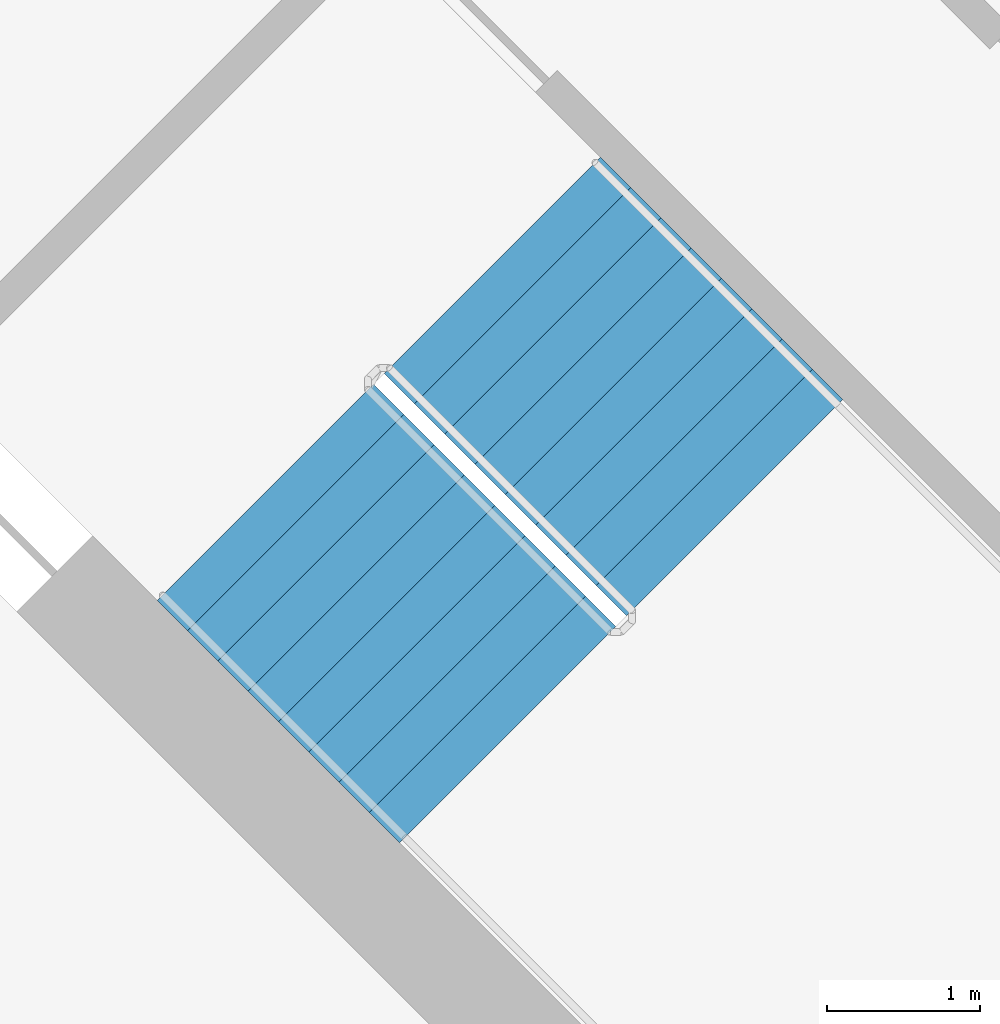
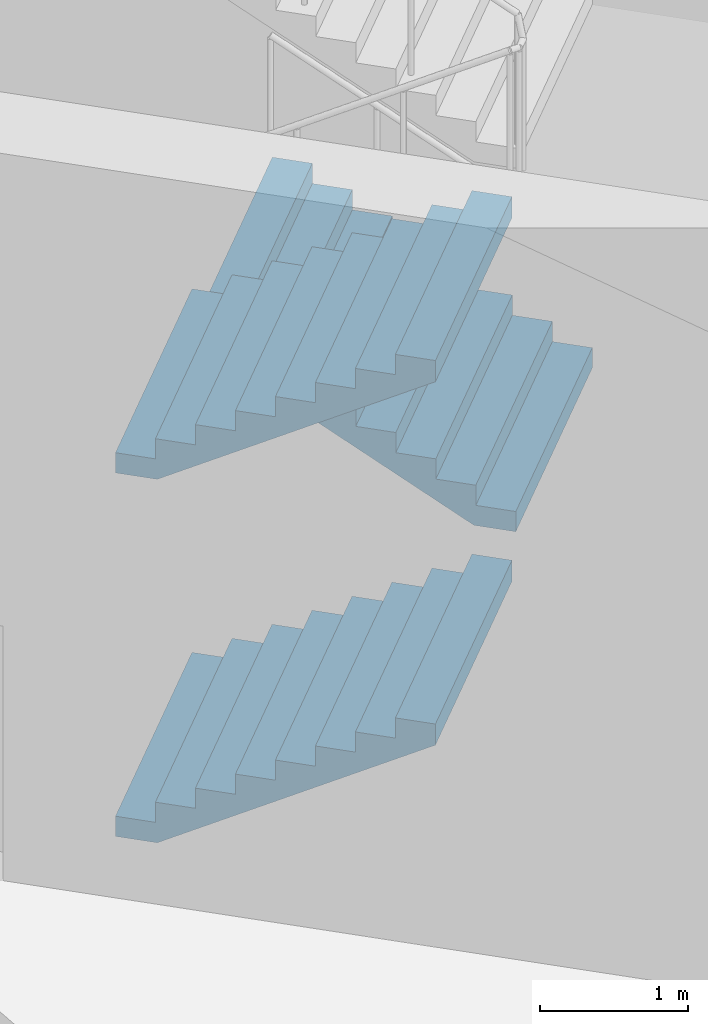
# One storey, part 11 of 16: 3 stair flights, 1 element without a shape of its own.
"""IFC4 building model written with IfcOpenShell, lengths in metres."""

from ifc_helpers import new_model, si_unit, direction, frame, origin, place, context, subcontext, project, spatial, triangles, material, type_object, element, aggregate, save


model = new_model("IFC4")

# Units and contexts
model_context = context("Model", 3, precision=1e-05, world=origin(), true_north=direction((0.0, 1.0)))
body_context = subcontext(model_context, "Body", "Model", "MODEL_VIEW")
ifc_project = project(units=[si_unit("LENGTHUNIT", "METRE"), si_unit("AREAUNIT", "SQUARE_METRE"), si_unit("VOLUMEUNIT", "CUBIC_METRE"), si_unit("PLANEANGLEUNIT", "RADIAN"), si_unit("MASSUNIT", "GRAM", prefix="KILO")], contexts=[model_context])

# Site, building, storey
site_placement = place(None, origin())
site = spatial("IfcSite", under=ifc_project, at=site_placement, CompositionType="ELEMENT")
building_placement = place(site_placement, origin())
building = spatial("IfcBuilding", under=site, at=building_placement, Name="Verdalira Terraces Hotel", CompositionType="ELEMENT")
storey_placement = place(building_placement, frame((0.0, 0.0, 169.0)))
storey = spatial("IfcBuildingStorey", under=building, at=storey_placement, Name="L41", CompositionType="ELEMENT", Elevation=169.0)

# Stair, stair flights
ifc_material_1 = material(Name="Concrete C40", Category="concrete")
stair_type = type_object("IfcStairType", Name="Core stair 36 risers 2000 mm wide", PredefinedType="HALF_TURN_STAIR", material=ifc_material_1)
stair_placement = place(storey_placement, origin())
stair = element("IfcStair", 1, at=stair_placement, inside=storey, type_object=stair_type, Name="L41 Exit stair ST2", PredefinedType="HALF_TURN_STAIR")
ifc_material_2 = material(Name="Concrete C40", Category="concrete")
stair_flight_type = type_object("IfcStairFlightType", Name="Core stair flight 36 risers 2000 mm wide", PredefinedType="STRAIGHT", material=ifc_material_2)
stair_flight_1_placement = place(storey_placement, frame((-10.041016, -7.354004, 0.0), z_axis=(0.0, 0.0, 1.0), x_axis=(0.707106781, -0.707106781, 0.0)))
stair_flight_1 = element("IfcStairFlight", 2, at=stair_flight_1_placement, type_object=stair_flight_type, Name="ST2 flight 1", NumberOfRisers=9, NumberOfTreads=8, PredefinedType="STRAIGHT", RiserHeight=0.166666667, TreadLength=0.28, context=body_context, shape_type="Tessellation", body=[
    triangles([(0.0, 1.0, 0.0), (0.292969, 1.0, 0.0), (2.23999, 1.0, 1.158936), (0.0, -1.0, 0.0), (0.292969, -1.0, 0.0), (2.23999, -1.0, 1.158936), (2.23999, 1.0, 1.333252), (1.959961, 1.0, 1.333252), (2.23999, -1.0, 1.333252), (1.959961, -1.0, 1.333252), (1.959961, 1.0, 1.166748), (1.959961, -1.0, 1.166748), (1.679932, 1.0, 1.166748), (1.679932, -1.0, 1.166748), (1.679932, 1.0, 1.0), (1.679932, -1.0, 1.0), (1.399902, 1.0, 1.0), (1.399902, 1.0, 0.833252), (1.399902, -1.0, 1.0), (1.399902, -1.0, 0.833252), (1.120117, 1.0, 0.833252), (1.120117, 1.0, 0.666748), (1.120117, -1.0, 0.833252), (1.120117, -1.0, 0.666748), (0.840088, 1.0, 0.666748), (0.840088, 1.0, 0.5), (0.840088, -1.0, 0.666748), (0.840088, -1.0, 0.5), (0.560059, 1.0, 0.5), (0.560059, 1.0, 0.333252), (0.560059, -1.0, 0.5), (0.560059, -1.0, 0.333252), (0.280029, 1.0, 0.333252), (0.280029, 1.0, 0.166748), (0.280029, -1.0, 0.333252), (0.280029, -1.0, 0.166748), (0.0, 1.0, 0.166748), (0.0, -1.0, 0.166748), (0.0, -0.9375, 0.0), (0.0, -0.9375, 0.166748), (0.0, -0.875, 0.0), (0.0, -0.875, 0.166748), (0.0, -0.8125, 0.0), (0.0, -0.8125, 0.166748), (0.0, -0.75, 0.0), (0.0, -0.75, 0.166748), (0.0, -0.6875, 0.0), (0.0, -0.6875, 0.166748), (0.0, -0.625, 0.0), (0.0, -0.625, 0.166748), (0.0, -0.5625, 0.0), (0.0, -0.5625, 0.166748), (0.0, -0.5, 0.0), (0.0, -0.5, 0.166748), (0.0, -0.4375, 0.0), (0.0, -0.4375, 0.166748), (0.0, -0.375, 0.0), (0.0, -0.375, 0.166748), (0.0, -0.3125, 0.0), (0.0, -0.3125, 0.166748), (0.0, -0.25, 0.0), (0.0, -0.25, 0.166748), (0.0, -0.1875, 0.0), (0.0, -0.1875, 0.166748), (0.0, -0.125, 0.0), (0.0, -0.125, 0.166748), (0.0, -0.0625, 0.0), (0.0, -0.0625, 0.166748), (0.0, 0.0, 0.0), (0.0, 0.0, 0.166748), (0.0, 0.0625, 0.0), (0.0, 0.0625, 0.166748), (0.0, 0.125, 0.0), (0.0, 0.125, 0.166748), (0.0, 0.1875, 0.0), (0.0, 0.1875, 0.166748), (0.0, 0.25, 0.0), (0.0, 0.25, 0.166748), (0.0, 0.3125, 0.0), (0.0, 0.3125, 0.166748), (0.0, 0.375, 0.0), (0.0, 0.375, 0.166748), (0.0, 0.4375, 0.0), (0.0, 0.4375, 0.166748), (0.0, 0.5, 0.0), (0.0, 0.5, 0.166748), (0.0, 0.5625, 0.0), (0.0, 0.5625, 0.166748), (0.0, 0.625, 0.0), (0.0, 0.625, 0.166748), (0.0, 0.6875, 0.0), (0.0, 0.6875, 0.166748), (0.0, 0.75, 0.0), (0.0, 0.75, 0.166748), (0.0, 0.8125, 0.0), (0.0, 0.8125, 0.166748), (0.0, 0.875, 0.0), (0.0, 0.875, 0.166748), (0.0, 0.9375, 0.0), (0.0, 0.9375, 0.166748), (2.23999, -0.9375, 1.333252), (2.23999, -0.875, 1.333252), (2.23999, -0.8125, 1.333252), (2.23999, -0.75, 1.333252), (2.23999, -0.6875, 1.333252), (2.23999, -0.625, 1.333252), (2.23999, -0.5625, 1.333252), (2.23999, -0.5, 1.333252), (2.23999, -0.4375, 1.333252), (2.23999, -0.375, 1.333252), (2.23999, -0.3125, 1.333252), (2.23999, -0.25, 1.333252), (2.23999, -0.1875, 1.333252), (2.23999, -0.125, 1.333252), (2.23999, -0.0625, 1.333252), (2.23999, 0.0, 1.333252), (2.23999, 0.0625, 1.333252), (2.23999, 0.125, 1.333252), (2.23999, 0.1875, 1.333252), (2.23999, 0.25, 1.333252), (2.23999, 0.3125, 1.333252), (2.23999, 0.375, 1.333252), (2.23999, 0.4375, 1.333252), (2.23999, 0.5, 1.333252), (2.23999, 0.5625, 1.333252), (2.23999, 0.625, 1.333252), (2.23999, 0.6875, 1.333252), (2.23999, 0.75, 1.333252), (2.23999, 0.8125, 1.333252), (2.23999, 0.875, 1.333252), (2.23999, 0.9375, 1.333252), (2.23999, -0.9375, 1.158936), (2.23999, -0.875, 1.158936), (2.23999, -0.8125, 1.158936), (2.23999, -0.75, 1.158936), (2.23999, -0.6875, 1.158936), (2.23999, -0.625, 1.158936), (2.23999, -0.5625, 1.158936), (2.23999, -0.5, 1.158936), (2.23999, -0.4375, 1.158936), (2.23999, -0.375, 1.158936), (2.23999, -0.3125, 1.158936), (2.23999, -0.25, 1.158936), (2.23999, -0.1875, 1.158936), (2.23999, -0.125, 1.158936), (2.23999, -0.0625, 1.158936), (2.23999, 0.0, 1.158936), (2.23999, 0.0625, 1.158936), (2.23999, 0.125, 1.158936), (2.23999, 0.1875, 1.158936), (2.23999, 0.25, 1.158936), (2.23999, 0.3125, 1.158936), (2.23999, 0.375, 1.158936), (2.23999, 0.4375, 1.158936), (2.23999, 0.5, 1.158936), (2.23999, 0.5625, 1.158936), (2.23999, 0.625, 1.158936), (2.23999, 0.6875, 1.158936), (2.23999, 0.75, 1.158936), (2.23999, 0.8125, 1.158936), (2.23999, 0.875, 1.158936), (2.23999, 0.9375, 1.158936)], [[1, 3, 2], [4, 5, 6], [3, 8, 7], [6, 9, 10], [3, 11, 8], [6, 10, 12], [3, 13, 11], [6, 12, 14], [3, 15, 13], [6, 14, 16], [15, 18, 17], [16, 19, 20], [3, 18, 15], [6, 16, 20], [18, 22, 21], [20, 23, 24], [3, 22, 18], [6, 20, 24], [22, 26, 25], [24, 27, 28], [3, 26, 22], [6, 24, 28], [26, 30, 29], [28, 31, 32], [3, 30, 26], [6, 28, 32], [1, 30, 3], [4, 6, 32], [30, 34, 33], [32, 35, 36], [1, 34, 30], [4, 32, 36], [34, 1, 37], [36, 38, 4], [4, 40, 39], [4, 38, 40], [39, 42, 41], [39, 40, 42], [41, 44, 43], [41, 42, 44], [43, 46, 45], [43, 44, 46], [45, 48, 47], [45, 46, 48], [47, 50, 49], [47, 48, 50], [49, 52, 51], [49, 50, 52], [51, 54, 53], [51, 52, 54], [53, 56, 55], [53, 54, 56], [55, 58, 57], [55, 56, 58], [57, 60, 59], [57, 58, 60], [59, 62, 61], [59, 60, 62], [61, 64, 63], [61, 62, 64], [63, 66, 65], [63, 64, 66], [65, 68, 67], [65, 66, 68], [67, 70, 69], [67, 68, 70], [69, 72, 71], [69, 70, 72], [71, 74, 73], [71, 72, 74], [73, 76, 75], [73, 74, 76], [75, 78, 77], [75, 76, 78], [77, 80, 79], [77, 78, 80], [79, 82, 81], [79, 80, 82], [81, 84, 83], [81, 82, 84], [83, 86, 85], [83, 84, 86], [85, 88, 87], [85, 86, 88], [87, 90, 89], [87, 88, 90], [89, 92, 91], [89, 90, 92], [91, 94, 93], [91, 92, 94], [93, 96, 95], [93, 94, 96], [95, 98, 97], [95, 96, 98], [97, 100, 99], [97, 98, 100], [99, 37, 1], [99, 100, 37], [38, 36, 40], [40, 36, 42], [42, 36, 44], [44, 36, 46], [46, 36, 48], [48, 36, 50], [50, 36, 52], [52, 36, 54], [54, 36, 56], [56, 36, 58], [58, 36, 60], [60, 36, 62], [62, 36, 64], [64, 36, 66], [66, 36, 68], [68, 36, 70], [70, 36, 72], [72, 36, 74], [74, 36, 76], [76, 36, 78], [78, 36, 80], [80, 36, 82], [82, 36, 84], [84, 36, 86], [86, 36, 88], [88, 36, 90], [90, 36, 92], [92, 36, 94], [94, 36, 96], [96, 36, 98], [98, 36, 100], [100, 36, 37], [37, 36, 34], [36, 33, 34], [36, 35, 33], [35, 30, 33], [35, 32, 30], [32, 29, 30], [32, 31, 29], [31, 26, 29], [31, 28, 26], [28, 25, 26], [28, 27, 25], [27, 22, 25], [27, 24, 22], [24, 21, 22], [24, 23, 21], [23, 18, 21], [23, 20, 18], [20, 17, 18], [20, 19, 17], [19, 15, 17], [19, 16, 15], [16, 13, 15], [16, 14, 13], [14, 11, 13], [14, 12, 11], [12, 8, 11], [12, 10, 8], [9, 101, 10], [101, 102, 10], [102, 103, 10], [103, 104, 10], [104, 105, 10], [105, 106, 10], [106, 107, 10], [107, 108, 10], [108, 109, 10], [109, 110, 10], [110, 111, 10], [111, 112, 10], [112, 113, 10], [113, 114, 10], [114, 115, 10], [115, 116, 10], [116, 117, 10], [117, 118, 10], [118, 119, 10], [119, 120, 10], [120, 121, 10], [121, 122, 10], [122, 123, 10], [123, 124, 10], [124, 125, 10], [125, 126, 10], [126, 127, 10], [127, 128, 10], [128, 129, 10], [129, 130, 10], [130, 131, 10], [131, 7, 10], [7, 8, 10], [9, 132, 101], [9, 6, 132], [101, 133, 102], [101, 132, 133], [102, 134, 103], [102, 133, 134], [103, 135, 104], [103, 134, 135], [104, 136, 105], [104, 135, 136], [105, 137, 106], [105, 136, 137], [106, 138, 107], [106, 137, 138], [107, 139, 108], [107, 138, 139], [108, 140, 109], [108, 139, 140], [109, 141, 110], [109, 140, 141], [110, 142, 111], [110, 141, 142], [111, 143, 112], [111, 142, 143], [112, 144, 113], [112, 143, 144], [113, 145, 114], [113, 144, 145], [114, 146, 115], [114, 145, 146], [115, 147, 116], [115, 146, 147], [116, 148, 117], [116, 147, 148], [117, 149, 118], [117, 148, 149], [118, 150, 119], [118, 149, 150], [119, 151, 120], [119, 150, 151], [120, 152, 121], [120, 151, 152], [121, 153, 122], [121, 152, 153], [122, 154, 123], [122, 153, 154], [123, 155, 124], [123, 154, 155], [124, 156, 125], [124, 155, 156], [125, 157, 126], [125, 156, 157], [126, 158, 127], [126, 157, 158], [127, 159, 128], [127, 158, 159], [128, 160, 129], [128, 159, 160], [129, 161, 130], [129, 160, 161], [130, 162, 131], [130, 161, 162], [131, 3, 7], [131, 162, 3], [6, 5, 132], [132, 5, 133], [133, 5, 134], [134, 5, 135], [135, 5, 136], [136, 5, 137], [137, 5, 138], [138, 5, 139], [139, 5, 140], [140, 5, 141], [141, 5, 142], [142, 5, 143], [143, 5, 144], [144, 5, 145], [145, 5, 146], [146, 5, 147], [147, 5, 148], [148, 5, 149], [149, 5, 150], [150, 5, 151], [151, 5, 152], [152, 5, 153], [153, 5, 154], [154, 5, 155], [155, 5, 156], [156, 5, 157], [157, 5, 158], [158, 5, 159], [159, 5, 160], [160, 5, 161], [161, 5, 162], [162, 5, 3], [3, 5, 2], [4, 39, 5], [39, 41, 5], [41, 43, 5], [43, 45, 5], [45, 47, 5], [47, 49, 5], [49, 51, 5], [51, 53, 5], [53, 55, 5], [55, 57, 5], [57, 59, 5], [59, 61, 5], [61, 63, 5], [63, 65, 5], [65, 67, 5], [67, 69, 5], [69, 71, 5], [71, 73, 5], [73, 75, 5], [75, 77, 5], [77, 79, 5], [79, 81, 5], [81, 83, 5], [83, 85, 5], [85, 87, 5], [87, 89, 5], [89, 91, 5], [91, 93, 5], [93, 95, 5], [95, 97, 5], [97, 99, 5], [99, 1, 5], [1, 2, 5]], closed=True),
])
stair_flight_2_placement = place(storey_placement, frame((-6.972168, -7.452881, 1.5), z_axis=(0.0, 0.0, 1.0), x_axis=(-0.707106781, 0.707106781, 0.0)))
stair_flight_2 = element("IfcStairFlight", 3, at=stair_flight_2_placement, type_object=stair_flight_type, Name="ST2 flight 2", NumberOfRisers=9, NumberOfTreads=8, PredefinedType="STRAIGHT", RiserHeight=0.166666667, TreadLength=0.28, context=body_context, shape_type="Tessellation", body=[
    triangles([(0.0, 1.0, 0.0), (0.292969, 1.0, 0.0), (2.23999, 1.0, 1.158936), (0.0, -1.0, 0.0), (0.292969, -1.0, 0.0), (2.23999, -1.0, 1.158936), (2.23999, 1.0, 1.333252), (1.959961, 1.0, 1.333252), (2.23999, -1.0, 1.333252), (1.959961, -1.0, 1.333252), (1.959961, 1.0, 1.166748), (1.959961, -1.0, 1.166748), (1.679932, 1.0, 1.166748), (1.679932, -1.0, 1.166748), (1.679932, 1.0, 1.0), (1.679932, -1.0, 1.0), (1.399902, 1.0, 1.0), (1.399902, 1.0, 0.833252), (1.399902, -1.0, 1.0), (1.399902, -1.0, 0.833252), (1.120117, 1.0, 0.833252), (1.120117, 1.0, 0.666748), (1.120117, -1.0, 0.833252), (1.120117, -1.0, 0.666748), (0.840088, 1.0, 0.666748), (0.840088, 1.0, 0.5), (0.840088, -1.0, 0.666748), (0.840088, -1.0, 0.5), (0.560059, 1.0, 0.5), (0.560059, 1.0, 0.333252), (0.560059, -1.0, 0.5), (0.560059, -1.0, 0.333252), (0.280029, 1.0, 0.333252), (0.280029, 1.0, 0.166748), (0.280029, -1.0, 0.333252), (0.280029, -1.0, 0.166748), (0.0, 1.0, 0.166748), (0.0, -1.0, 0.166748), (0.0, -0.9375, 0.0), (0.0, -0.9375, 0.166748), (0.0, -0.875, 0.0), (0.0, -0.875, 0.166748), (0.0, -0.8125, 0.0), (0.0, -0.8125, 0.166748), (0.0, -0.75, 0.0), (0.0, -0.75, 0.166748), (0.0, -0.6875, 0.0), (0.0, -0.6875, 0.166748), (0.0, -0.625, 0.0), (0.0, -0.625, 0.166748), (0.0, -0.5625, 0.0), (0.0, -0.5625, 0.166748), (0.0, -0.5, 0.0), (0.0, -0.5, 0.166748), (0.0, -0.4375, 0.0), (0.0, -0.4375, 0.166748), (0.0, -0.375, 0.0), (0.0, -0.375, 0.166748), (0.0, -0.3125, 0.0), (0.0, -0.3125, 0.166748), (0.0, -0.25, 0.0), (0.0, -0.25, 0.166748), (0.0, -0.1875, 0.0), (0.0, -0.1875, 0.166748), (0.0, -0.125, 0.0), (0.0, -0.125, 0.166748), (0.0, -0.0625, 0.0), (0.0, -0.0625, 0.166748), (0.0, 0.0, 0.0), (0.0, 0.0, 0.166748), (0.0, 0.0625, 0.0), (0.0, 0.0625, 0.166748), (0.0, 0.125, 0.0), (0.0, 0.125, 0.166748), (0.0, 0.1875, 0.0), (0.0, 0.1875, 0.166748), (0.0, 0.25, 0.0), (0.0, 0.25, 0.166748), (0.0, 0.3125, 0.0), (0.0, 0.3125, 0.166748), (0.0, 0.375, 0.0), (0.0, 0.375, 0.166748), (0.0, 0.4375, 0.0), (0.0, 0.4375, 0.166748), (0.0, 0.5, 0.0), (0.0, 0.5, 0.166748), (0.0, 0.5625, 0.0), (0.0, 0.5625, 0.166748), (0.0, 0.625, 0.0), (0.0, 0.625, 0.166748), (0.0, 0.6875, 0.0), (0.0, 0.6875, 0.166748), (0.0, 0.75, 0.0), (0.0, 0.75, 0.166748), (0.0, 0.8125, 0.0), (0.0, 0.8125, 0.166748), (0.0, 0.875, 0.0), (0.0, 0.875, 0.166748), (0.0, 0.9375, 0.0), (0.0, 0.9375, 0.166748), (2.23999, -0.9375, 1.333252), (2.23999, -0.875, 1.333252), (2.23999, -0.8125, 1.333252), (2.23999, -0.75, 1.333252), (2.23999, -0.6875, 1.333252), (2.23999, -0.625, 1.333252), (2.23999, -0.5625, 1.333252), (2.23999, -0.5, 1.333252), (2.23999, -0.4375, 1.333252), (2.23999, -0.375, 1.333252), (2.23999, -0.3125, 1.333252), (2.23999, -0.25, 1.333252), (2.23999, -0.1875, 1.333252), (2.23999, -0.125, 1.333252), (2.23999, -0.0625, 1.333252), (2.23999, 0.0, 1.333252), (2.23999, 0.0625, 1.333252), (2.23999, 0.125, 1.333252), (2.23999, 0.1875, 1.333252), (2.23999, 0.25, 1.333252), (2.23999, 0.3125, 1.333252), (2.23999, 0.375, 1.333252), (2.23999, 0.4375, 1.333252), (2.23999, 0.5, 1.333252), (2.23999, 0.5625, 1.333252), (2.23999, 0.625, 1.333252), (2.23999, 0.6875, 1.333252), (2.23999, 0.75, 1.333252), (2.23999, 0.8125, 1.333252), (2.23999, 0.875, 1.333252), (2.23999, 0.9375, 1.333252), (2.23999, -0.9375, 1.158936), (2.23999, -0.875, 1.158936), (2.23999, -0.8125, 1.158936), (2.23999, -0.75, 1.158936), (2.23999, -0.6875, 1.158936), (2.23999, -0.625, 1.158936), (2.23999, -0.5625, 1.158936), (2.23999, -0.5, 1.158936), (2.23999, -0.4375, 1.158936), (2.23999, -0.375, 1.158936), (2.23999, -0.3125, 1.158936), (2.23999, -0.25, 1.158936), (2.23999, -0.1875, 1.158936), (2.23999, -0.125, 1.158936), (2.23999, -0.0625, 1.158936), (2.23999, 0.0, 1.158936), (2.23999, 0.0625, 1.158936), (2.23999, 0.125, 1.158936), (2.23999, 0.1875, 1.158936), (2.23999, 0.25, 1.158936), (2.23999, 0.3125, 1.158936), (2.23999, 0.375, 1.158936), (2.23999, 0.4375, 1.158936), (2.23999, 0.5, 1.158936), (2.23999, 0.5625, 1.158936), (2.23999, 0.625, 1.158936), (2.23999, 0.6875, 1.158936), (2.23999, 0.75, 1.158936), (2.23999, 0.8125, 1.158936), (2.23999, 0.875, 1.158936), (2.23999, 0.9375, 1.158936)], [[1, 3, 2], [4, 5, 6], [3, 8, 7], [6, 9, 10], [3, 11, 8], [6, 10, 12], [3, 13, 11], [6, 12, 14], [3, 15, 13], [6, 14, 16], [15, 18, 17], [16, 19, 20], [3, 18, 15], [6, 16, 20], [18, 22, 21], [20, 23, 24], [3, 22, 18], [6, 20, 24], [22, 26, 25], [24, 27, 28], [3, 26, 22], [6, 24, 28], [26, 30, 29], [28, 31, 32], [3, 30, 26], [6, 28, 32], [1, 30, 3], [4, 6, 32], [30, 34, 33], [32, 35, 36], [1, 34, 30], [4, 32, 36], [34, 1, 37], [36, 38, 4], [4, 40, 39], [4, 38, 40], [39, 42, 41], [39, 40, 42], [41, 44, 43], [41, 42, 44], [43, 46, 45], [43, 44, 46], [45, 48, 47], [45, 46, 48], [47, 50, 49], [47, 48, 50], [49, 52, 51], [49, 50, 52], [51, 54, 53], [51, 52, 54], [53, 56, 55], [53, 54, 56], [55, 58, 57], [55, 56, 58], [57, 60, 59], [57, 58, 60], [59, 62, 61], [59, 60, 62], [61, 64, 63], [61, 62, 64], [63, 66, 65], [63, 64, 66], [65, 68, 67], [65, 66, 68], [67, 70, 69], [67, 68, 70], [69, 72, 71], [69, 70, 72], [71, 74, 73], [71, 72, 74], [73, 76, 75], [73, 74, 76], [75, 78, 77], [75, 76, 78], [77, 80, 79], [77, 78, 80], [79, 82, 81], [79, 80, 82], [81, 84, 83], [81, 82, 84], [83, 86, 85], [83, 84, 86], [85, 88, 87], [85, 86, 88], [87, 90, 89], [87, 88, 90], [89, 92, 91], [89, 90, 92], [91, 94, 93], [91, 92, 94], [93, 96, 95], [93, 94, 96], [95, 98, 97], [95, 96, 98], [97, 100, 99], [97, 98, 100], [99, 37, 1], [99, 100, 37], [38, 36, 40], [40, 36, 42], [42, 36, 44], [44, 36, 46], [46, 36, 48], [48, 36, 50], [50, 36, 52], [52, 36, 54], [54, 36, 56], [56, 36, 58], [58, 36, 60], [60, 36, 62], [62, 36, 64], [64, 36, 66], [66, 36, 68], [68, 36, 70], [70, 36, 72], [72, 36, 74], [74, 36, 76], [76, 36, 78], [78, 36, 80], [80, 36, 82], [82, 36, 84], [84, 36, 86], [86, 36, 88], [88, 36, 90], [90, 36, 92], [92, 36, 94], [94, 36, 96], [96, 36, 98], [98, 36, 100], [100, 36, 37], [37, 36, 34], [36, 33, 34], [36, 35, 33], [35, 30, 33], [35, 32, 30], [32, 29, 30], [32, 31, 29], [31, 26, 29], [31, 28, 26], [28, 25, 26], [28, 27, 25], [27, 22, 25], [27, 24, 22], [24, 21, 22], [24, 23, 21], [23, 18, 21], [23, 20, 18], [20, 17, 18], [20, 19, 17], [19, 15, 17], [19, 16, 15], [16, 13, 15], [16, 14, 13], [14, 11, 13], [14, 12, 11], [12, 8, 11], [12, 10, 8], [9, 101, 10], [101, 102, 10], [102, 103, 10], [103, 104, 10], [104, 105, 10], [105, 106, 10], [106, 107, 10], [107, 108, 10], [108, 109, 10], [109, 110, 10], [110, 111, 10], [111, 112, 10], [112, 113, 10], [113, 114, 10], [114, 115, 10], [115, 116, 10], [116, 117, 10], [117, 118, 10], [118, 119, 10], [119, 120, 10], [120, 121, 10], [121, 122, 10], [122, 123, 10], [123, 124, 10], [124, 125, 10], [125, 126, 10], [126, 127, 10], [127, 128, 10], [128, 129, 10], [129, 130, 10], [130, 131, 10], [131, 7, 10], [7, 8, 10], [9, 132, 101], [9, 6, 132], [101, 133, 102], [101, 132, 133], [102, 134, 103], [102, 133, 134], [103, 135, 104], [103, 134, 135], [104, 136, 105], [104, 135, 136], [105, 137, 106], [105, 136, 137], [106, 138, 107], [106, 137, 138], [107, 139, 108], [107, 138, 139], [108, 140, 109], [108, 139, 140], [109, 141, 110], [109, 140, 141], [110, 142, 111], [110, 141, 142], [111, 143, 112], [111, 142, 143], [112, 144, 113], [112, 143, 144], [113, 145, 114], [113, 144, 145], [114, 146, 115], [114, 145, 146], [115, 147, 116], [115, 146, 147], [116, 148, 117], [116, 147, 148], [117, 149, 118], [117, 148, 149], [118, 150, 119], [118, 149, 150], [119, 151, 120], [119, 150, 151], [120, 152, 121], [120, 151, 152], [121, 153, 122], [121, 152, 153], [122, 154, 123], [122, 153, 154], [123, 155, 124], [123, 154, 155], [124, 156, 125], [124, 155, 156], [125, 157, 126], [125, 156, 157], [126, 158, 127], [126, 157, 158], [127, 159, 128], [127, 158, 159], [128, 160, 129], [128, 159, 160], [129, 161, 130], [129, 160, 161], [130, 162, 131], [130, 161, 162], [131, 3, 7], [131, 162, 3], [6, 5, 132], [132, 5, 133], [133, 5, 134], [134, 5, 135], [135, 5, 136], [136, 5, 137], [137, 5, 138], [138, 5, 139], [139, 5, 140], [140, 5, 141], [141, 5, 142], [142, 5, 143], [143, 5, 144], [144, 5, 145], [145, 5, 146], [146, 5, 147], [147, 5, 148], [148, 5, 149], [149, 5, 150], [150, 5, 151], [151, 5, 152], [152, 5, 153], [153, 5, 154], [154, 5, 155], [155, 5, 156], [156, 5, 157], [157, 5, 158], [158, 5, 159], [159, 5, 160], [160, 5, 161], [161, 5, 162], [162, 5, 3], [3, 5, 2], [4, 39, 5], [39, 41, 5], [41, 43, 5], [43, 45, 5], [45, 47, 5], [47, 49, 5], [49, 51, 5], [51, 53, 5], [53, 55, 5], [55, 57, 5], [57, 59, 5], [59, 61, 5], [61, 63, 5], [63, 65, 5], [65, 67, 5], [67, 69, 5], [69, 71, 5], [71, 73, 5], [73, 75, 5], [75, 77, 5], [77, 79, 5], [79, 81, 5], [81, 83, 5], [83, 85, 5], [85, 87, 5], [87, 89, 5], [89, 91, 5], [91, 93, 5], [93, 95, 5], [95, 97, 5], [97, 99, 5], [99, 1, 5], [1, 2, 5]], closed=True),
])
stair_flight_3_placement = place(storey_placement, frame((-10.041016, -7.354004, 3.0), z_axis=(0.0, 0.0, 1.0), x_axis=(0.707106781, -0.707106781, 0.0)))
stair_flight_3 = element("IfcStairFlight", 4, at=stair_flight_3_placement, type_object=stair_flight_type, Name="ST2 flight 3", NumberOfRisers=9, NumberOfTreads=8, PredefinedType="STRAIGHT", RiserHeight=0.166666667, TreadLength=0.28, context=body_context, shape_type="Tessellation", body=[
    triangles([(0.0, 1.0, 0.0), (0.292969, 1.0, 0.0), (2.23999, 1.0, 1.158936), (0.0, -1.0, 0.0), (0.292969, -1.0, 0.0), (2.23999, -1.0, 1.158936), (2.23999, 1.0, 1.333252), (1.959961, 1.0, 1.333252), (2.23999, -1.0, 1.333252), (1.959961, -1.0, 1.333252), (1.959961, 1.0, 1.166748), (1.959961, -1.0, 1.166748), (1.679932, 1.0, 1.166748), (1.679932, -1.0, 1.166748), (1.679932, 1.0, 1.0), (1.679932, -1.0, 1.0), (1.399902, 1.0, 1.0), (1.399902, 1.0, 0.833252), (1.399902, -1.0, 1.0), (1.399902, -1.0, 0.833252), (1.120117, 1.0, 0.833252), (1.120117, 1.0, 0.666748), (1.120117, -1.0, 0.833252), (1.120117, -1.0, 0.666748), (0.840088, 1.0, 0.666748), (0.840088, 1.0, 0.5), (0.840088, -1.0, 0.666748), (0.840088, -1.0, 0.5), (0.560059, 1.0, 0.5), (0.560059, 1.0, 0.333252), (0.560059, -1.0, 0.5), (0.560059, -1.0, 0.333252), (0.280029, 1.0, 0.333252), (0.280029, 1.0, 0.166748), (0.280029, -1.0, 0.333252), (0.280029, -1.0, 0.166748), (0.0, 1.0, 0.166748), (0.0, -1.0, 0.166748), (0.0, -0.9375, 0.0), (0.0, -0.9375, 0.166748), (0.0, -0.875, 0.0), (0.0, -0.875, 0.166748), (0.0, -0.8125, 0.0), (0.0, -0.8125, 0.166748), (0.0, -0.75, 0.0), (0.0, -0.75, 0.166748), (0.0, -0.6875, 0.0), (0.0, -0.6875, 0.166748), (0.0, -0.625, 0.0), (0.0, -0.625, 0.166748), (0.0, -0.5625, 0.0), (0.0, -0.5625, 0.166748), (0.0, -0.5, 0.0), (0.0, -0.5, 0.166748), (0.0, -0.4375, 0.0), (0.0, -0.4375, 0.166748), (0.0, -0.375, 0.0), (0.0, -0.375, 0.166748), (0.0, -0.3125, 0.0), (0.0, -0.3125, 0.166748), (0.0, -0.25, 0.0), (0.0, -0.25, 0.166748), (0.0, -0.1875, 0.0), (0.0, -0.1875, 0.166748), (0.0, -0.125, 0.0), (0.0, -0.125, 0.166748), (0.0, -0.0625, 0.0), (0.0, -0.0625, 0.166748), (0.0, 0.0, 0.0), (0.0, 0.0, 0.166748), (0.0, 0.0625, 0.0), (0.0, 0.0625, 0.166748), (0.0, 0.125, 0.0), (0.0, 0.125, 0.166748), (0.0, 0.1875, 0.0), (0.0, 0.1875, 0.166748), (0.0, 0.25, 0.0), (0.0, 0.25, 0.166748), (0.0, 0.3125, 0.0), (0.0, 0.3125, 0.166748), (0.0, 0.375, 0.0), (0.0, 0.375, 0.166748), (0.0, 0.4375, 0.0), (0.0, 0.4375, 0.166748), (0.0, 0.5, 0.0), (0.0, 0.5, 0.166748), (0.0, 0.5625, 0.0), (0.0, 0.5625, 0.166748), (0.0, 0.625, 0.0), (0.0, 0.625, 0.166748), (0.0, 0.6875, 0.0), (0.0, 0.6875, 0.166748), (0.0, 0.75, 0.0), (0.0, 0.75, 0.166748), (0.0, 0.8125, 0.0), (0.0, 0.8125, 0.166748), (0.0, 0.875, 0.0), (0.0, 0.875, 0.166748), (0.0, 0.9375, 0.0), (0.0, 0.9375, 0.166748), (2.23999, -0.9375, 1.333252), (2.23999, -0.875, 1.333252), (2.23999, -0.8125, 1.333252), (2.23999, -0.75, 1.333252), (2.23999, -0.6875, 1.333252), (2.23999, -0.625, 1.333252), (2.23999, -0.5625, 1.333252), (2.23999, -0.5, 1.333252), (2.23999, -0.4375, 1.333252), (2.23999, -0.375, 1.333252), (2.23999, -0.3125, 1.333252), (2.23999, -0.25, 1.333252), (2.23999, -0.1875, 1.333252), (2.23999, -0.125, 1.333252), (2.23999, -0.0625, 1.333252), (2.23999, 0.0, 1.333252), (2.23999, 0.0625, 1.333252), (2.23999, 0.125, 1.333252), (2.23999, 0.1875, 1.333252), (2.23999, 0.25, 1.333252), (2.23999, 0.3125, 1.333252), (2.23999, 0.375, 1.333252), (2.23999, 0.4375, 1.333252), (2.23999, 0.5, 1.333252), (2.23999, 0.5625, 1.333252), (2.23999, 0.625, 1.333252), (2.23999, 0.6875, 1.333252), (2.23999, 0.75, 1.333252), (2.23999, 0.8125, 1.333252), (2.23999, 0.875, 1.333252), (2.23999, 0.9375, 1.333252), (2.23999, -0.9375, 1.158936), (2.23999, -0.875, 1.158936), (2.23999, -0.8125, 1.158936), (2.23999, -0.75, 1.158936), (2.23999, -0.6875, 1.158936), (2.23999, -0.625, 1.158936), (2.23999, -0.5625, 1.158936), (2.23999, -0.5, 1.158936), (2.23999, -0.4375, 1.158936), (2.23999, -0.375, 1.158936), (2.23999, -0.3125, 1.158936), (2.23999, -0.25, 1.158936), (2.23999, -0.1875, 1.158936), (2.23999, -0.125, 1.158936), (2.23999, -0.0625, 1.158936), (2.23999, 0.0, 1.158936), (2.23999, 0.0625, 1.158936), (2.23999, 0.125, 1.158936), (2.23999, 0.1875, 1.158936), (2.23999, 0.25, 1.158936), (2.23999, 0.3125, 1.158936), (2.23999, 0.375, 1.158936), (2.23999, 0.4375, 1.158936), (2.23999, 0.5, 1.158936), (2.23999, 0.5625, 1.158936), (2.23999, 0.625, 1.158936), (2.23999, 0.6875, 1.158936), (2.23999, 0.75, 1.158936), (2.23999, 0.8125, 1.158936), (2.23999, 0.875, 1.158936), (2.23999, 0.9375, 1.158936)], [[1, 3, 2], [4, 5, 6], [3, 8, 7], [6, 9, 10], [3, 11, 8], [6, 10, 12], [3, 13, 11], [6, 12, 14], [3, 15, 13], [6, 14, 16], [15, 18, 17], [16, 19, 20], [3, 18, 15], [6, 16, 20], [18, 22, 21], [20, 23, 24], [3, 22, 18], [6, 20, 24], [22, 26, 25], [24, 27, 28], [3, 26, 22], [6, 24, 28], [26, 30, 29], [28, 31, 32], [3, 30, 26], [6, 28, 32], [1, 30, 3], [4, 6, 32], [30, 34, 33], [32, 35, 36], [1, 34, 30], [4, 32, 36], [34, 1, 37], [36, 38, 4], [4, 40, 39], [4, 38, 40], [39, 42, 41], [39, 40, 42], [41, 44, 43], [41, 42, 44], [43, 46, 45], [43, 44, 46], [45, 48, 47], [45, 46, 48], [47, 50, 49], [47, 48, 50], [49, 52, 51], [49, 50, 52], [51, 54, 53], [51, 52, 54], [53, 56, 55], [53, 54, 56], [55, 58, 57], [55, 56, 58], [57, 60, 59], [57, 58, 60], [59, 62, 61], [59, 60, 62], [61, 64, 63], [61, 62, 64], [63, 66, 65], [63, 64, 66], [65, 68, 67], [65, 66, 68], [67, 70, 69], [67, 68, 70], [69, 72, 71], [69, 70, 72], [71, 74, 73], [71, 72, 74], [73, 76, 75], [73, 74, 76], [75, 78, 77], [75, 76, 78], [77, 80, 79], [77, 78, 80], [79, 82, 81], [79, 80, 82], [81, 84, 83], [81, 82, 84], [83, 86, 85], [83, 84, 86], [85, 88, 87], [85, 86, 88], [87, 90, 89], [87, 88, 90], [89, 92, 91], [89, 90, 92], [91, 94, 93], [91, 92, 94], [93, 96, 95], [93, 94, 96], [95, 98, 97], [95, 96, 98], [97, 100, 99], [97, 98, 100], [99, 37, 1], [99, 100, 37], [38, 36, 40], [40, 36, 42], [42, 36, 44], [44, 36, 46], [46, 36, 48], [48, 36, 50], [50, 36, 52], [52, 36, 54], [54, 36, 56], [56, 36, 58], [58, 36, 60], [60, 36, 62], [62, 36, 64], [64, 36, 66], [66, 36, 68], [68, 36, 70], [70, 36, 72], [72, 36, 74], [74, 36, 76], [76, 36, 78], [78, 36, 80], [80, 36, 82], [82, 36, 84], [84, 36, 86], [86, 36, 88], [88, 36, 90], [90, 36, 92], [92, 36, 94], [94, 36, 96], [96, 36, 98], [98, 36, 100], [100, 36, 37], [37, 36, 34], [36, 33, 34], [36, 35, 33], [35, 30, 33], [35, 32, 30], [32, 29, 30], [32, 31, 29], [31, 26, 29], [31, 28, 26], [28, 25, 26], [28, 27, 25], [27, 22, 25], [27, 24, 22], [24, 21, 22], [24, 23, 21], [23, 18, 21], [23, 20, 18], [20, 17, 18], [20, 19, 17], [19, 15, 17], [19, 16, 15], [16, 13, 15], [16, 14, 13], [14, 11, 13], [14, 12, 11], [12, 8, 11], [12, 10, 8], [9, 101, 10], [101, 102, 10], [102, 103, 10], [103, 104, 10], [104, 105, 10], [105, 106, 10], [106, 107, 10], [107, 108, 10], [108, 109, 10], [109, 110, 10], [110, 111, 10], [111, 112, 10], [112, 113, 10], [113, 114, 10], [114, 115, 10], [115, 116, 10], [116, 117, 10], [117, 118, 10], [118, 119, 10], [119, 120, 10], [120, 121, 10], [121, 122, 10], [122, 123, 10], [123, 124, 10], [124, 125, 10], [125, 126, 10], [126, 127, 10], [127, 128, 10], [128, 129, 10], [129, 130, 10], [130, 131, 10], [131, 7, 10], [7, 8, 10], [9, 132, 101], [9, 6, 132], [101, 133, 102], [101, 132, 133], [102, 134, 103], [102, 133, 134], [103, 135, 104], [103, 134, 135], [104, 136, 105], [104, 135, 136], [105, 137, 106], [105, 136, 137], [106, 138, 107], [106, 137, 138], [107, 139, 108], [107, 138, 139], [108, 140, 109], [108, 139, 140], [109, 141, 110], [109, 140, 141], [110, 142, 111], [110, 141, 142], [111, 143, 112], [111, 142, 143], [112, 144, 113], [112, 143, 144], [113, 145, 114], [113, 144, 145], [114, 146, 115], [114, 145, 146], [115, 147, 116], [115, 146, 147], [116, 148, 117], [116, 147, 148], [117, 149, 118], [117, 148, 149], [118, 150, 119], [118, 149, 150], [119, 151, 120], [119, 150, 151], [120, 152, 121], [120, 151, 152], [121, 153, 122], [121, 152, 153], [122, 154, 123], [122, 153, 154], [123, 155, 124], [123, 154, 155], [124, 156, 125], [124, 155, 156], [125, 157, 126], [125, 156, 157], [126, 158, 127], [126, 157, 158], [127, 159, 128], [127, 158, 159], [128, 160, 129], [128, 159, 160], [129, 161, 130], [129, 160, 161], [130, 162, 131], [130, 161, 162], [131, 3, 7], [131, 162, 3], [6, 5, 132], [132, 5, 133], [133, 5, 134], [134, 5, 135], [135, 5, 136], [136, 5, 137], [137, 5, 138], [138, 5, 139], [139, 5, 140], [140, 5, 141], [141, 5, 142], [142, 5, 143], [143, 5, 144], [144, 5, 145], [145, 5, 146], [146, 5, 147], [147, 5, 148], [148, 5, 149], [149, 5, 150], [150, 5, 151], [151, 5, 152], [152, 5, 153], [153, 5, 154], [154, 5, 155], [155, 5, 156], [156, 5, 157], [157, 5, 158], [158, 5, 159], [159, 5, 160], [160, 5, 161], [161, 5, 162], [162, 5, 3], [3, 5, 2], [4, 39, 5], [39, 41, 5], [41, 43, 5], [43, 45, 5], [45, 47, 5], [47, 49, 5], [49, 51, 5], [51, 53, 5], [53, 55, 5], [55, 57, 5], [57, 59, 5], [59, 61, 5], [61, 63, 5], [63, 65, 5], [65, 67, 5], [67, 69, 5], [69, 71, 5], [71, 73, 5], [73, 75, 5], [75, 77, 5], [77, 79, 5], [79, 81, 5], [81, 83, 5], [83, 85, 5], [85, 87, 5], [87, 89, 5], [89, 91, 5], [91, 93, 5], [93, 95, 5], [95, 97, 5], [97, 99, 5], [99, 1, 5], [1, 2, 5]], closed=True),
])
aggregate(stair, [stair_flight_1, stair_flight_2, stair_flight_3])

save(model, "model.ifc")
